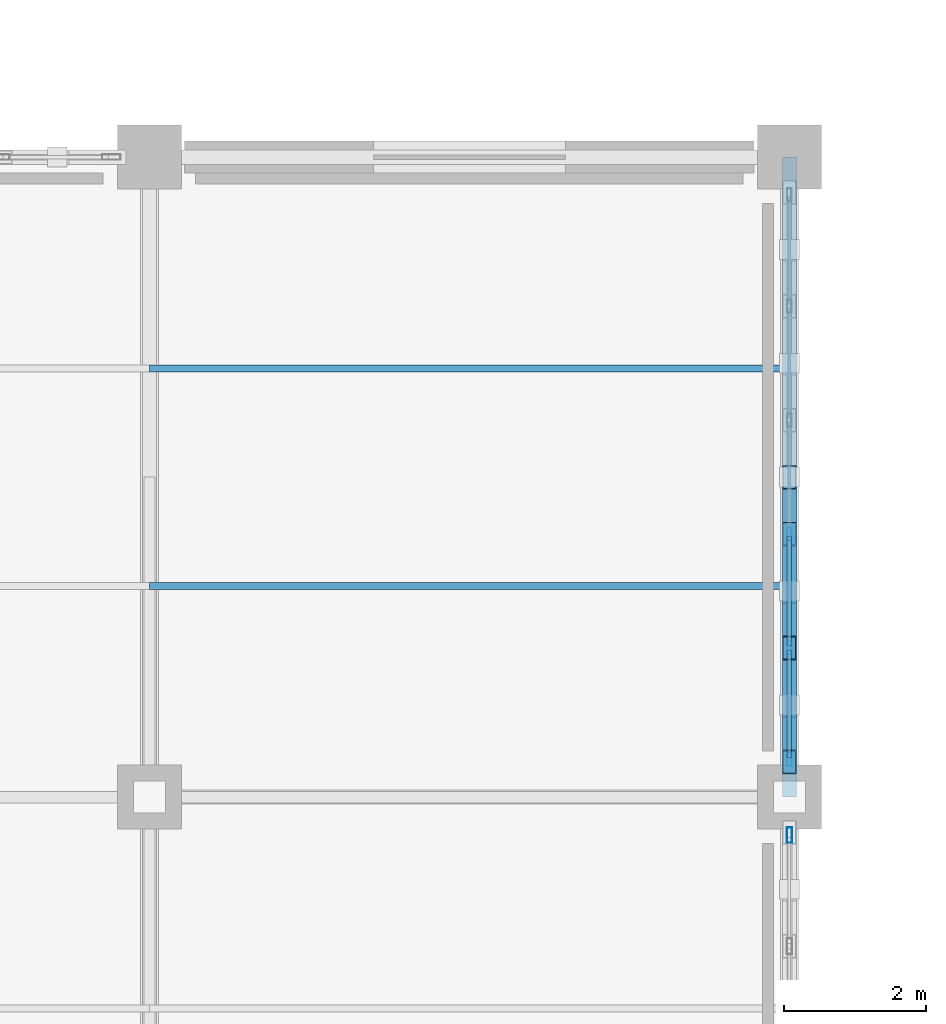
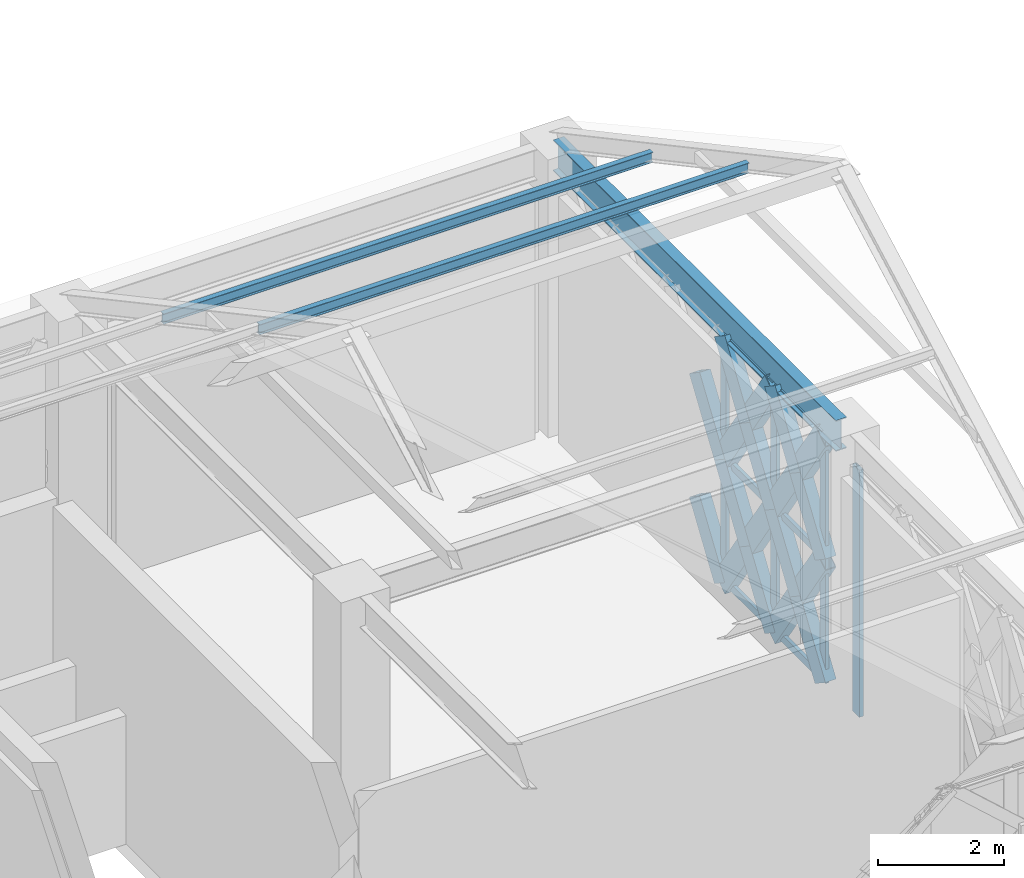
# One storey, part 66 of 166: 26 members, 1 beam, 2 elements without a shape of their own.
"""IFC4 building model written with IfcOpenShell, lengths in metres."""

from ifc_helpers import new_model, si_unit, direction, frame, origin, origin_2d, place, context, subcontext, project, spatial, hollow_rectangle, i_section, extrude, material, material_profile, profile_set, type_object, element, aggregate, save


model = new_model("IFC4")

# Units and contexts
model_context = context("Model", 3, precision=1e-05, world=origin(), true_north=direction((0.0, 1.0)))
body_context = subcontext(model_context, "Body", "Model", "MODEL_VIEW")
ifc_project = project(units=[si_unit("LENGTHUNIT", "METRE"), si_unit("AREAUNIT", "SQUARE_METRE"), si_unit("VOLUMEUNIT", "CUBIC_METRE"), si_unit("PLANEANGLEUNIT", "RADIAN"), si_unit("MASSUNIT", "GRAM", prefix="KILO")], contexts=[model_context])

# Site, building, storey
site_placement = place(None, origin())
site = spatial("IfcSite", under=ifc_project, at=site_placement, CompositionType="ELEMENT")
building_placement = place(site_placement, origin())
building = spatial("IfcBuilding", under=site, at=building_placement, Name="Haizhuo Lancet Aquarium", CompositionType="ELEMENT")
storey_placement = place(building_placement, frame((0.0, 0.0, 5.39990234375)))
storey = spatial("IfcBuildingStorey", under=building, at=storey_placement, Name="L01", CompositionType="ELEMENT", Elevation=5.39990234375)

# Beam
ifc_material_1 = material(Name="Steel S355", Category="steel")
ifc_material_profile_1 = material_profile(ifc_material_1, i_section(OverallWidth=0.199951171875, OverallDepth=0.60009765625, WebThickness=0.010986328125, FlangeThickness=0.01708984375, FilletRadius=0.02197265625, at=origin_2d()), Name="HN 600x200x11x17")
ifc_profile_set_1 = profile_set([ifc_material_profile_1], Name="Steel S355")
beam_type = type_object("IfcBeamType", Name="BM-ST-HN600", PredefinedType="BEAM", material=ifc_profile_set_1)
beam_placement = place(storey_placement, frame((-36.0, 18.0, 5.10009765625), z_axis=(0.0, 1.0, 0.0), x_axis=(-1.0, 0.0, 0.0)))
element("IfcBeam", 1, at=beam_placement, inside=storey, type_object=beam_type, Name="L01 V2 primary girder BM-L01-V2-024", PredefinedType="BEAM", context=body_context, shape_type="SweptSolid", body=[
    extrude(i_section(OverallWidth=0.199951171875, OverallDepth=0.60009765625, WebThickness=0.010986328125, FlangeThickness=0.01708984375, FilletRadius=0.02197265625, at=origin_2d()), origin(), (0.0, 0.0, 1.0), 9.0),
])

# Curtain wall, members
ifc_material_2 = material(Name="Aluminium 6063-T6", Category="aluminium")
curtain_wall_type = type_object("IfcCurtainWallType", Name="CWD-8010x4800", PredefinedType="NOTDEFINED", material=ifc_material_2)
curtain_wall_1_placement = place(storey_placement, origin())
curtain_wall_1 = element("IfcCurtainWall", 2, at=curtain_wall_1_placement, inside=storey, type_object=curtain_wall_type, Name="L01 curtain wall CW-V2-L01-025", PredefinedType="NOTDEFINED")
ifc_material_profile_2 = material_profile(ifc_material_2, hollow_rectangle(XDim=0.06494140625, YDim=0.179931640625, WallThickness=0.00390625, at=origin_2d()), Name="ALU-M 65x180x4")
ifc_profile_set_2 = profile_set([ifc_material_profile_2], Name="Aluminium 6063-T6")
member_type_1 = type_object("IfcMemberType", Name="CW-MUL-1", PredefinedType="MULLION", material=ifc_profile_set_2)
member_1_placement = place(storey_placement, frame((-36.0, 21.698974609375, 0.0), z_axis=(0.0, 0.0, 1.0), x_axis=(1.0, 0.0, 0.0)))
member_1 = element("IfcMember", 3, at=member_1_placement, type_object=member_type_1, Name="CWD-80x48 mullion 4", PredefinedType="MULLION", context=body_context, shape_type="SweptSolid", body=[
    extrude(hollow_rectangle(XDim=0.06494140625, YDim=0.179931640625, WallThickness=0.00390625, at=origin_2d()), origin(), (0.0, 0.0, 1.0), 4.800048828125),
])
member_2_placement = place(storey_placement, frame((-36.0, 20.096923828125, 0.0), z_axis=(0.0, 0.0, 1.0), x_axis=(1.0, 0.0, 0.0)))
member_2 = element("IfcMember", 4, at=member_2_placement, type_object=member_type_1, Name="CWD-80x48 mullion 5", PredefinedType="MULLION", context=body_context, shape_type="SweptSolid", body=[
    extrude(hollow_rectangle(XDim=0.06494140625, YDim=0.179931640625, WallThickness=0.00390625, at=origin_2d()), origin(), (0.0, 0.0, 1.0), 4.800048828125),
])
member_3_placement = place(storey_placement, frame((-36.0, 18.527099609375, 0.0), z_axis=(0.0, 0.0, 1.0), x_axis=(1.0, 0.0, 0.0)))
member_3 = element("IfcMember", 5, at=member_3_placement, type_object=member_type_1, Name="CWD-80x48 mullion 6", PredefinedType="MULLION", context=body_context, shape_type="SweptSolid", body=[
    extrude(hollow_rectangle(XDim=0.06494140625, YDim=0.179931640625, WallThickness=0.00390625, at=origin_2d()), origin(), (0.0, 0.0, 1.0), 4.800048828125),
])

# Curtain wall, member
curtain_wall_2_placement = place(storey_placement, origin())
curtain_wall_2 = element("IfcCurtainWall", 6, at=curtain_wall_2_placement, inside=storey, type_object=curtain_wall_type, Name="L01 curtain wall CW-V2-L01-026", PredefinedType="NOTDEFINED")
ifc_material_profile_3 = material_profile(ifc_material_2, hollow_rectangle(XDim=0.074951171875, YDim=0.219970703125, WallThickness=0.0048828125, at=origin_2d()), Name="ALU-M 75x220x5")
ifc_profile_set_3 = profile_set([ifc_material_profile_3], Name="Aluminium 6063-T6")
member_type_2 = type_object("IfcMemberType", Name="CW-MUL-2", PredefinedType="MULLION", material=ifc_profile_set_3)
member_4_placement = place(storey_placement, frame((-36.0, 17.467041015625, 0.0), z_axis=(0.0, 0.0, 1.0), x_axis=(1.0, 0.0, 0.0)))
member_4 = element("IfcMember", 7, at=member_4_placement, type_object=member_type_2, Name="CWD-80x48 mullion 1", PredefinedType="MULLION", context=body_context, shape_type="SweptSolid", body=[
    extrude(hollow_rectangle(XDim=0.074951171875, YDim=0.219970703125, WallThickness=0.0048828125, at=origin_2d()), origin(), (0.0, 0.0, 1.0), 4.800048828125),
])
aggregate(curtain_wall_2, [member_4])

# Member
ifc_material_profile_4 = material_profile(ifc_material_2, hollow_rectangle(XDim=0.06494140625, YDim=0.139892578125, WallThickness=0.00390625, at=origin_2d()), Name="ALU-T 65x140x4")
ifc_profile_set_4 = profile_set([ifc_material_profile_4], Name="Aluminium 6063-T6")
member_type_3 = type_object("IfcMemberType", Name="CW-TRN-1", PredefinedType="NOTDEFINED", material=ifc_profile_set_4)
member_5_placement = place(storey_placement, frame((-36.0, 21.666015625, 0.033203125), z_axis=(0.0, -1.0, 0.0), x_axis=(1.0, 0.0, 0.0)))
member_5 = element("IfcMember", 8, at=member_5_placement, type_object=member_type_3, Name="CWD-80x48 transom 4.1", ObjectType="TRANSOM", PredefinedType="USERDEFINED", context=body_context, shape_type="SweptSolid", body=[
    extrude(hollow_rectangle(XDim=0.06494140625, YDim=0.139892578125, WallThickness=0.00390625, at=origin_2d()), origin(), (0.0, 0.0, 1.0), 1.5361328125),
])

member_6_placement = place(storey_placement, frame((-36.0, 21.666015625, 2.400146484375), z_axis=(0.0, -1.0, 0.0), x_axis=(1.0, 0.0, 0.0)))
member_6 = element("IfcMember", 9, at=member_6_placement, type_object=member_type_3, Name="CWD-80x48 transom 4.2", ObjectType="TRANSOM", PredefinedType="USERDEFINED", context=body_context, shape_type="SweptSolid", body=[
    extrude(hollow_rectangle(XDim=0.06494140625, YDim=0.139892578125, WallThickness=0.00390625, at=origin_2d()), origin(), (0.0, 0.0, 1.0), 1.5361328125),
])

member_7_placement = place(storey_placement, frame((-36.0, 21.666015625, 4.76708984375), z_axis=(0.0, -1.0, 0.0), x_axis=(1.0, 0.0, 0.0)))
member_7 = element("IfcMember", 10, at=member_7_placement, type_object=member_type_3, Name="CWD-80x48 transom 4.3", ObjectType="TRANSOM", PredefinedType="USERDEFINED", context=body_context, shape_type="SweptSolid", body=[
    extrude(hollow_rectangle(XDim=0.06494140625, YDim=0.139892578125, WallThickness=0.00390625, at=origin_2d()), origin(), (0.0, 0.0, 1.0), 1.5361328125),
])

member_8_placement = place(storey_placement, frame((-36.0, 20.06494140625, 0.033203125), z_axis=(0.0, -1.0, 0.0), x_axis=(1.0, 0.0, 0.0)))
member_8 = element("IfcMember", 11, at=member_8_placement, type_object=member_type_3, Name="CWD-80x48 transom 5.1", ObjectType="TRANSOM", PredefinedType="USERDEFINED", context=body_context, shape_type="SweptSolid", body=[
    extrude(hollow_rectangle(XDim=0.06494140625, YDim=0.139892578125, WallThickness=0.00390625, at=origin_2d()), origin(), (0.0, 0.0, 1.0), 1.5048828125),
])

member_9_placement = place(storey_placement, frame((-36.0, 20.06494140625, 2.400146484375), z_axis=(0.0, -1.0, 0.0), x_axis=(1.0, 0.0, 0.0)))
member_9 = element("IfcMember", 12, at=member_9_placement, type_object=member_type_3, Name="CWD-80x48 transom 5.2", ObjectType="TRANSOM", PredefinedType="USERDEFINED", context=body_context, shape_type="SweptSolid", body=[
    extrude(hollow_rectangle(XDim=0.06494140625, YDim=0.139892578125, WallThickness=0.00390625, at=origin_2d()), origin(), (0.0, 0.0, 1.0), 1.5048828125),
])

member_10_placement = place(storey_placement, frame((-36.0, 20.06494140625, 4.76708984375), z_axis=(0.0, -1.0, 0.0), x_axis=(1.0, 0.0, 0.0)))
member_10 = element("IfcMember", 13, at=member_10_placement, type_object=member_type_3, Name="CWD-80x48 transom 5.3", ObjectType="TRANSOM", PredefinedType="USERDEFINED", context=body_context, shape_type="SweptSolid", body=[
    extrude(hollow_rectangle(XDim=0.06494140625, YDim=0.139892578125, WallThickness=0.00390625, at=origin_2d()), origin(), (0.0, 0.0, 1.0), 1.5048828125),
])

aggregate(curtain_wall_1, [member_1, member_2, member_3, member_5, member_6, member_7, member_8, member_9, member_10])

# Members
ifc_material_profile_5 = material_profile(ifc_material_1, hollow_rectangle(XDim=0.199951171875, YDim=0.39990234375, WallThickness=0.011962890625, at=origin_2d()), Name="RHS 200x400x12")
ifc_profile_set_5 = profile_set([ifc_material_profile_5], Name="Steel S355")
member_type_4 = type_object("IfcMemberType", Name="MEM-LB-RHS200x400", PredefinedType="BRACE", material=ifc_profile_set_5)
member_11_placement = place(storey_placement, frame((-36.0, 21.698974609375, 0.0), z_axis=(0.0, 0.555129617962, 0.831763853063), x_axis=(-1.0, 0.0, 0.0)))
element("IfcMember", 14, at=member_11_placement, inside=storey, type_object=member_type_4, Name="Gothic lancet split diagonal brace CW-V2-L01-025 5B1", PredefinedType="BRACE", context=body_context, shape_type="SweptSolid", body=[
    extrude(hollow_rectangle(XDim=0.199951171875, YDim=0.39990234375, WallThickness=0.011962890625, at=origin_2d()), origin(), (0.0, 0.0, 1.0), 1.44287109375),
])
member_12_placement = place(storey_placement, frame((-36.0, 21.698974609375, 2.400146484375), z_axis=(0.0, 0.555207750173, 0.831711701341), x_axis=(-1.0, 0.0, 0.0)))
element("IfcMember", 15, at=member_12_placement, inside=storey, type_object=member_type_4, Name="Gothic lancet split diagonal brace CW-V2-L01-025 6B1", PredefinedType="BRACE", context=body_context, shape_type="SweptSolid", body=[
    extrude(hollow_rectangle(XDim=0.199951171875, YDim=0.39990234375, WallThickness=0.011962890625, at=origin_2d()), origin(), (0.0, 0.0, 1.0), 1.442626953125),
])
member_13_placement = place(storey_placement, frame((-36.0, 21.698974609375, 0.0), z_axis=(0.0, -0.555168681931, 0.831737779954), x_axis=(1.0, 0.0, 0.0)))
element("IfcMember", 16, at=member_13_placement, inside=storey, type_object=member_type_4, Name="Gothic lancet continuous diagonal brace CW-V2-L01-025 7A", PredefinedType="BRACE", context=body_context, shape_type="SweptSolid", body=[
    extrude(hollow_rectangle(XDim=0.199951171875, YDim=0.39990234375, WallThickness=0.011962890625, at=origin_2d()), origin(), (0.0, 0.0, 1.0), 2.8857421875),
])
member_14_placement = place(storey_placement, frame((-36.0, 20.096923828125, 0.0), z_axis=(0.0, 0.555129617962, 0.831763853063), x_axis=(-1.0, 0.0, 0.0)))
element("IfcMember", 17, at=member_14_placement, inside=storey, type_object=member_type_4, Name="Gothic lancet split diagonal brace CW-V2-L01-025 7B1", PredefinedType="BRACE", context=body_context, shape_type="SweptSolid", body=[
    extrude(hollow_rectangle(XDim=0.199951171875, YDim=0.39990234375, WallThickness=0.011962890625, at=origin_2d()), origin(), (0.0, 0.0, 1.0), 1.44287109375),
])
member_15_placement = place(storey_placement, frame((-36.0, 20.89794921875, 1.2001953125), z_axis=(0.0, 0.555207750173, 0.831711701341), x_axis=(-1.0, 0.0, 0.0)))
element("IfcMember", 18, at=member_15_placement, inside=storey, type_object=member_type_4, Name="Gothic lancet split diagonal brace CW-V2-L01-025 7B2", PredefinedType="BRACE", context=body_context, shape_type="SweptSolid", body=[
    extrude(hollow_rectangle(XDim=0.199951171875, YDim=0.39990234375, WallThickness=0.011962890625, at=origin_2d()), origin(), (0.0, 0.0, 1.0), 1.442626953125),
])
member_16_placement = place(storey_placement, frame((-36.0, 21.698974609375, 2.400146484375), z_axis=(0.0, -0.555207750173, 0.831711701341), x_axis=(1.0, 0.0, 0.0)))
element("IfcMember", 19, at=member_16_placement, inside=storey, type_object=member_type_4, Name="Gothic lancet continuous diagonal brace CW-V2-L01-025 8A", PredefinedType="BRACE", context=body_context, shape_type="SweptSolid", body=[
    extrude(hollow_rectangle(XDim=0.199951171875, YDim=0.39990234375, WallThickness=0.011962890625, at=origin_2d()), origin(), (0.0, 0.0, 1.0), 2.885498046875),
])
for number, where, z_axis, x_axis, name in (
    (20, (-36.0, 20.096923828125, 2.400146484375), (0.0, 0.555207750173, 0.831711701341), (-1.0, 0.0, 0.0), "Gothic lancet split diagonal brace CW-V2-L01-025 8B1"),
    (21, (-36.0, 20.89794921875, 3.60009765625), (0.0, 0.555207750173, 0.831711701341), (-1.0, 0.0, 0.0), "Gothic lancet split diagonal brace CW-V2-L01-025 8B2"),
):
    element("IfcMember", number, at=place(storey_placement, frame(where, z_axis=z_axis, x_axis=x_axis)), inside=storey, type_object=member_type_4, Name=name, PredefinedType="BRACE", context=body_context, shape_type="SweptSolid", body=[
        extrude(hollow_rectangle(XDim=0.199951171875, YDim=0.39990234375, WallThickness=0.011962890625, at=origin_2d()), origin(), (0.0, 0.0, 1.0), 1.442626953125),
    ])
member_17_placement = place(storey_placement, frame((-36.0, 20.096923828125, 0.0), z_axis=(0.0, -0.555110150089, 0.831776845835), x_axis=(1.0, 0.0, 0.0)))
element("IfcMember", 22, at=member_17_placement, inside=storey, type_object=member_type_4, Name="Gothic lancet continuous diagonal brace CW-V2-L01-025 9A", PredefinedType="BRACE", context=body_context, shape_type="SweptSolid", body=[
    extrude(hollow_rectangle(XDim=0.199951171875, YDim=0.39990234375, WallThickness=0.011962890625, at=origin_2d()), origin(), (0.0, 0.0, 1.0), 2.885498046875),
])
member_18_placement = place(storey_placement, frame((-36.0, 18.4951171875, 0.0), z_axis=(0.0, 0.555012546931, 0.831841975828), x_axis=(-1.0, 0.0, 0.0)))
element("IfcMember", 23, at=member_18_placement, inside=storey, type_object=member_type_4, Name="Gothic lancet split diagonal brace CW-V2-L01-025 9B1", PredefinedType="BRACE", context=body_context, shape_type="SweptSolid", body=[
    extrude(hollow_rectangle(XDim=0.199951171875, YDim=0.39990234375, WallThickness=0.011962890625, at=origin_2d()), origin(), (0.0, 0.0, 1.0), 1.44287109375),
])
member_19_placement = place(storey_placement, frame((-36.0, 19.2958984375, 1.2001953125), z_axis=(0.0, 0.555207750173, 0.831711701341), x_axis=(-1.0, 0.0, 0.0)))
element("IfcMember", 24, at=member_19_placement, inside=storey, type_object=member_type_4, Name="Gothic lancet split diagonal brace CW-V2-L01-025 9B2", PredefinedType="BRACE", context=body_context, shape_type="SweptSolid", body=[
    extrude(hollow_rectangle(XDim=0.199951171875, YDim=0.39990234375, WallThickness=0.011962890625, at=origin_2d()), origin(), (0.0, 0.0, 1.0), 1.442626953125),
])
member_20_placement = place(storey_placement, frame((-36.0, 20.096923828125, 2.400146484375), z_axis=(0.0, -0.555149217883, 0.831750771496), x_axis=(1.0, 0.0, 0.0)))
element("IfcMember", 25, at=member_20_placement, inside=storey, type_object=member_type_4, Name="Gothic lancet continuous diagonal brace CW-V2-L01-025 10A", PredefinedType="BRACE", context=body_context, shape_type="SweptSolid", body=[
    extrude(hollow_rectangle(XDim=0.199951171875, YDim=0.39990234375, WallThickness=0.011962890625, at=origin_2d()), origin(), (0.0, 0.0, 1.0), 2.88525390625),
])
for number, where, z_axis, x_axis, name in (
    (26, (-36.0, 18.4951171875, 2.400146484375), (0.0, 0.555090677343, 0.831789841202), (-1.0, 0.0, 0.0), "Gothic lancet split diagonal brace CW-V2-L01-025 10B1"),
    (27, (-36.0, 19.2958984375, 3.60009765625), (0.0, 0.555207750173, 0.831711701341), (-1.0, 0.0, 0.0), "Gothic lancet split diagonal brace CW-V2-L01-025 10B2"),
):
    element("IfcMember", number, at=place(storey_placement, frame(where, z_axis=z_axis, x_axis=x_axis)), inside=storey, type_object=member_type_4, Name=name, PredefinedType="BRACE", context=body_context, shape_type="SweptSolid", body=[
        extrude(hollow_rectangle(XDim=0.199951171875, YDim=0.39990234375, WallThickness=0.011962890625, at=origin_2d()), origin(), (0.0, 0.0, 1.0), 1.442626953125),
    ])
ifc_material_profile_6 = material_profile(ifc_material_1, i_section(OverallWidth=0.10009765625, OverallDepth=0.199951171875, WebThickness=0.005615234375, FlangeThickness=0.008056640625, FilletRadius=0.008056640625, at=origin_2d()), Name="HN 200x100x5.5x8")
ifc_profile_set_6 = profile_set([ifc_material_profile_6], Name="Steel S355")
member_type_5 = type_object("IfcMemberType", Name="MEM-PR-HN200", PredefinedType="PURLIN", material=ifc_profile_set_6)
for number, where, z_axis, x_axis, name in (
    (28, (-45.0, 24.030029296875, 6.859130859375), (1.0, 0.0, 0.0), (0.0, 1.0, 0.0), "V2 north roof purlin 4"),
    (29, (-45.0, 20.969970703125, 8.507080078125), (1.0, 0.0, 0.0), (0.0, 1.0, 0.0), "V2 north roof purlin 4"),
):
    element("IfcMember", number, at=place(storey_placement, frame(where, z_axis=z_axis, x_axis=x_axis)), inside=storey, type_object=member_type_5, Name=name, PredefinedType="PURLIN", context=body_context, shape_type="SweptSolid", body=[
        extrude(i_section(OverallWidth=0.10009765625, OverallDepth=0.199951171875, WebThickness=0.005615234375, FlangeThickness=0.008056640625, FilletRadius=0.008056640625, at=origin_2d()), origin(), (0.0, 0.0, 1.0), 9.0),
    ])

save(model, "model.ifc")
